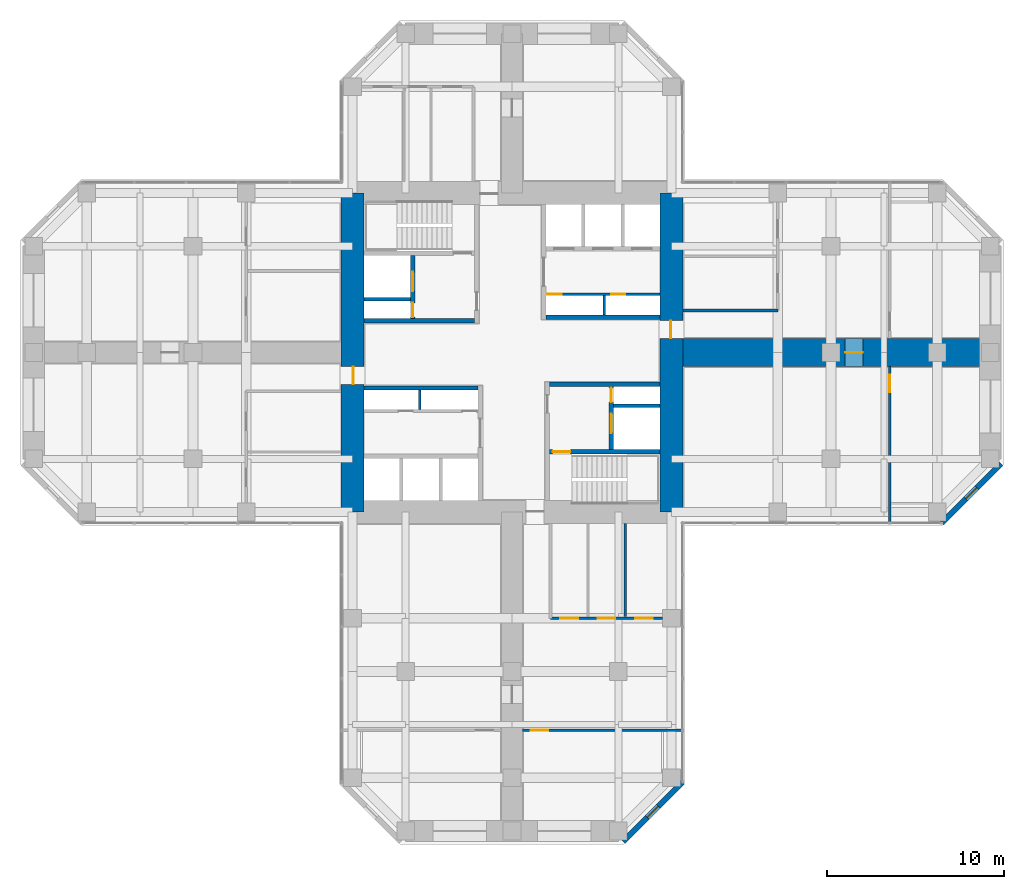
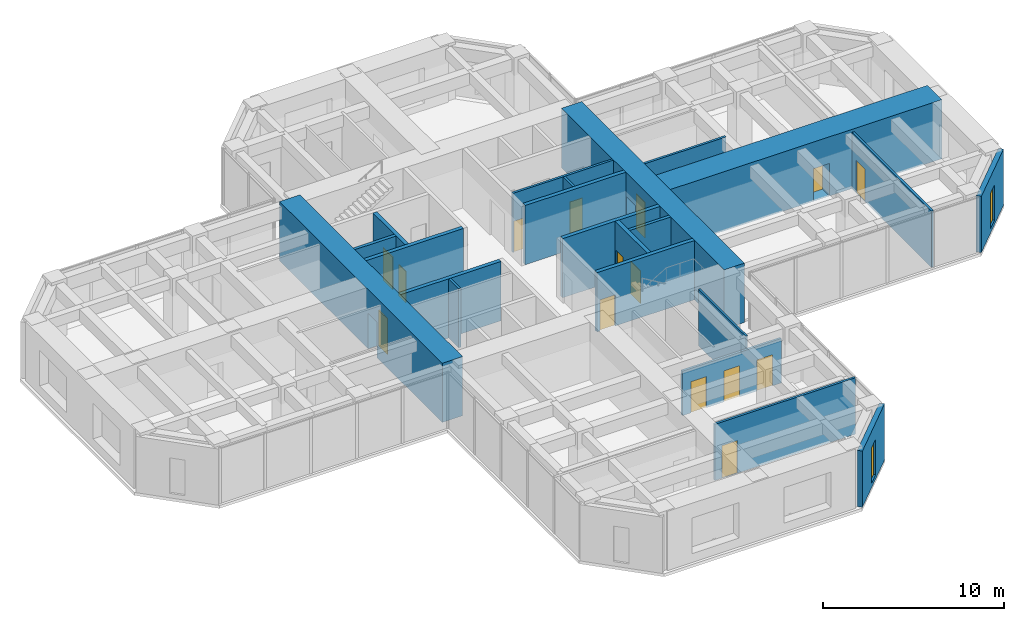
# One storey, part 9 of 12: 22 walls, 15 doors, 2 windows, 17 openings.
"""IFC4 building model written with IfcOpenShell, lengths in metres."""

from ifc_helpers import new_model, si_unit, direction, frame, frame_2d, origin, place, context, subcontext, project, spatial, rectangle, hollow_rectangle, extrude, material, layer, layer_set, constituent, constituent_set, type_object, element, fill, save


model = new_model("IFC4")

# Units and contexts
model_context = context("Model", 3, precision=1e-05, world=origin(), true_north=direction((0.0, 1.0)))
body_context = subcontext(model_context, "Body", "Model", "MODEL_VIEW")
ifc_project = project(units=[si_unit("LENGTHUNIT", "METRE"), si_unit("AREAUNIT", "SQUARE_METRE"), si_unit("VOLUMEUNIT", "CUBIC_METRE"), si_unit("PLANEANGLEUNIT", "RADIAN"), si_unit("MASSUNIT", "GRAM", prefix="KILO")], contexts=[model_context])

# Site, building, storey
site_placement = place(None, origin())
site = spatial("IfcSite", under=ifc_project, at=site_placement, CompositionType="ELEMENT")
building_placement = place(site_placement, origin())
building = spatial("IfcBuilding", under=site, at=building_placement, Name="Torre Cruceta", CompositionType="ELEMENT")
storey_placement = place(building_placement, frame((0.0, 0.0, 144.5)))
storey = spatial("IfcBuildingStorey", under=building, at=storey_placement, Name="L35", CompositionType="ELEMENT", Elevation=144.5)

# Walls
ifc_material_1 = material(Name="Concrete G60 (fck 60 MPa)", Category="concrete")
ifc_layer_1 = layer(ifc_material_1, 0.25)
ifc_layer_set_1 = layer_set([ifc_layer_1], Name="Concrete G60 (fck 60 MPa)")
wall_type_1 = type_object("IfcWallType", Name="CORE INNER WALL 250 G60", PredefinedType="SHEAR", material=ifc_layer_set_1)
wall_1_placement = place(storey_placement, frame((1.925048828125, 2.0, 0.0), z_axis=(0.0, 0.0, 1.0), x_axis=(1.0, 0.0, 0.0)))
element("IfcWall", 1, at=wall_1_placement, inside=storey, type_object=wall_type_1, Name="CW4 L35 NE-CV", PredefinedType="SHEAR", context=body_context, shape_type="SweptSolid", body=[
    extrude(rectangle(XDim=6.425048828125, YDim=0.25, at=frame_2d((3.21240234375, 0.0))), origin(), (0.0, 0.0, 1.0), 4.0),
])
wall_2_placement = place(storey_placement, frame((-2.125, 1.800048828125, 0.0), z_axis=(0.0, 0.0, 1.0), x_axis=(-1.0, 0.0, 0.0)))
element("IfcWall", 2, at=wall_2_placement, inside=storey, type_object=wall_type_1, Name="CW4 L35 NW-CV", PredefinedType="SHEAR", context=body_context, shape_type="SweptSolid", body=[
    extrude(rectangle(XDim=6.22509765625, YDim=0.25, at=frame_2d((3.112548828125, 0.0))), origin(), (0.0, 0.0, 1.0), 4.0),
])

# Wall, openings, doors
wall_3_placement = place(storey_placement, frame((-5.60009765625, 1.925048828125, 0.0), z_axis=(0.0, 0.0, 1.0), x_axis=(0.0, 1.0, 0.0)))
wall_3 = element("IfcWall", 3, at=wall_3_placement, inside=storey, type_object=wall_type_1, Name="CW4 L35 NW-FU", PredefinedType="SHEAR", context=body_context, shape_type="SweptSolid", body=[
    extrude(rectangle(XDim=3.550048828125, YDim=0.25, at=frame_2d((1.77490234375, 0.0))), origin(), (0.0, 0.0, 1.0), 4.0),
])
opening_1_placement = place(wall_3_placement, frame((1.52490234375, 0.0, 0.0)))
opening_1 = element("IfcOpeningElement", 4, at=opening_1_placement, cuts=wall_3, Name="Opening LD1", PredefinedType="OPENING", context=body_context, shape_type="SweptSolid", body=[
    extrude(rectangle(XDim=1.10009765625, YDim=2.199951171875, at=frame_2d((0.550048828125, 1.10009765625))), frame((0.0, 0.135009765625, 0.0), z_axis=(0.0, -1.0, 0.0), x_axis=(1.0, 0.0, 0.0)), (0.0, 0.0, 1.0), 0.27001953125),
])
opening_2_placement = place(wall_3_placement, frame((0.074951171875, 0.0, 0.0)))
opening_2 = element("IfcOpeningElement", 5, at=opening_2_placement, cuts=wall_3, Name="Opening D5", PredefinedType="OPENING", context=body_context, shape_type="SweptSolid", body=[
    extrude(rectangle(XDim=0.800048828125, YDim=2.10009765625, at=frame_2d((0.39990234375, 1.050048828125))), frame((0.0, 0.135009765625, 0.0), z_axis=(0.0, -1.0, 0.0), x_axis=(1.0, 0.0, 0.0)), (0.0, 0.0, 1.0), 0.27001953125),
])
ifc_material_2 = material(Name="Stainless steel 1.4401", Category="steel")
door_type_1 = type_object("IfcDoorType", Name="LIFT LANDING DOOR 1100X2200", OperationType="DOUBLE_DOOR_SLIDING", PredefinedType="DOOR", material=ifc_material_2)
door_1_placement = place(opening_1_placement, origin())
door_1 = element("IfcDoor", 6, at=door_1_placement, inside=storey, type_object=door_type_1, Name="Lift landing door FL1", OperationType="DOUBLE_DOOR_SLIDING", OverallHeight=2.199951171875, OverallWidth=1.10009765625, PredefinedType="DOOR", context=body_context, shape_type="SweptSolid", body=[
    extrude(rectangle(XDim=1.10009765625, YDim=2.199951171875, at=frame_2d((0.550048828125, 1.10009765625))), frame((0.0, 0.02490234375, 0.0), z_axis=(0.0, -1.0, 0.0), x_axis=(1.0, 0.0, 0.0)), (0.0, 0.0, 1.0), 0.050048828125),
])
fill(opening_1, door_1)
ifc_material_3 = material(Name="Steel DX51D", Category="steel")
ifc_constituent_1 = constituent(ifc_material_3, Name="Leaf and frame")
ifc_material_4 = material(Name="Polyester powder coating", Category="paint")
ifc_constituent_2 = constituent(ifc_material_4, Name="Finish")
ifc_constituent_set_1 = constituent_set(constituents=[ifc_constituent_1, ifc_constituent_2], Name="Steel fire door")
door_type_2 = type_object("IfcDoorType", Name="RISER ACCESS DOOR 800X2100", OperationType="SINGLE_SWING_LEFT", PredefinedType="DOOR", material=ifc_constituent_set_1)
door_2_placement = place(opening_2_placement, origin())
door_2 = element("IfcDoor", 7, at=door_2_placement, inside=storey, type_object=door_type_2, Name="D5 L35 NW-RISER", OperationType="SINGLE_SWING_LEFT", OverallHeight=2.10009765625, OverallWidth=0.800048828125, PredefinedType="DOOR", context=body_context, shape_type="SweptSolid", body=[
    extrude(rectangle(XDim=0.800048828125, YDim=2.10009765625, at=frame_2d((0.39990234375, 1.050048828125))), frame((0.0, 0.02490234375, 0.0), z_axis=(0.0, -1.0, 0.0), x_axis=(1.0, 0.0, 0.0)), (0.0, 0.0, 1.0), 0.050048828125),
])
fill(opening_2, door_2)

# Walls
wall_4_placement = place(storey_placement, frame((-1.925048828125, -2.0, 0.0), z_axis=(0.0, 0.0, 1.0), x_axis=(-1.0, 0.0, 0.0)))
element("IfcWall", 8, at=wall_4_placement, inside=storey, type_object=wall_type_1, Name="CW4 L35 SW-CV", PredefinedType="SHEAR", context=body_context, shape_type="SweptSolid", body=[
    extrude(rectangle(XDim=6.425048828125, YDim=0.25, at=frame_2d((3.21240234375, 0.0))), origin(), (0.0, 0.0, 1.0), 4.0),
])
wall_5_placement = place(storey_placement, frame((2.125, -1.800048828125, 0.0), z_axis=(0.0, 0.0, 1.0), x_axis=(1.0, 0.0, 0.0)))
element("IfcWall", 9, at=wall_5_placement, inside=storey, type_object=wall_type_1, Name="CW4 L35 SE-CV", PredefinedType="SHEAR", context=body_context, shape_type="SweptSolid", body=[
    extrude(rectangle(XDim=6.22509765625, YDim=0.25, at=frame_2d((3.112548828125, 0.0))), origin(), (0.0, 0.0, 1.0), 4.0),
])

# Wall, opening, door
wall_6_placement = place(storey_placement, frame((2.125, -5.60009765625, 0.0), z_axis=(0.0, 0.0, 1.0), x_axis=(1.0, 0.0, 0.0)))
wall_6 = element("IfcWall", 10, at=wall_6_placement, inside=storey, type_object=wall_type_1, Name="CW4 L35 SE-SV", PredefinedType="SHEAR", context=body_context, shape_type="SweptSolid", body=[
    extrude(rectangle(XDim=6.22509765625, YDim=0.25, at=frame_2d((3.112548828125, 0.0))), origin(), (0.0, 0.0, 1.0), 4.0),
])
opening_3_placement = place(wall_6_placement, frame((0.175048828125, 0.0, 0.0)))
opening_3 = element("IfcOpeningElement", 11, at=opening_3_placement, cuts=wall_6, Name="Opening D3", PredefinedType="OPENING", context=body_context, shape_type="SweptSolid", body=[
    extrude(rectangle(XDim=1.0, YDim=2.10009765625, at=frame_2d((0.5, 1.050048828125))), frame((0.0, 0.135009765625, 0.0), z_axis=(0.0, -1.0, 0.0), x_axis=(1.0, 0.0, 0.0)), (0.0, 0.0, 1.0), 0.27001953125),
])
ifc_material_5 = material(Name="Steel DX51D", Category="steel")
ifc_constituent_3 = constituent(ifc_material_5, Name="Leaf and frame")
ifc_material_6 = material(Name="Polyester powder coating", Category="paint")
ifc_constituent_4 = constituent(ifc_material_6, Name="Finish")
ifc_constituent_set_2 = constituent_set(constituents=[ifc_constituent_3, ifc_constituent_4], Name="Steel fire door")
door_type_3 = type_object("IfcDoorType", Name="FIRE DOOR 1000X2100", OperationType="SINGLE_SWING_LEFT", PredefinedType="DOOR", material=ifc_constituent_set_2)
door_3_placement = place(opening_3_placement, frame((1.0, 0.0, 0.0), z_axis=(0.0, 0.0, 1.0), x_axis=(-1.0, 0.0, 0.0)))
door_3 = element("IfcDoor", 12, at=door_3_placement, inside=storey, type_object=door_type_3, Name="D3 L35 SE-STAIR", OperationType="SINGLE_SWING_RIGHT", OverallHeight=2.10009765625, OverallWidth=1.0, PredefinedType="DOOR", context=body_context, shape_type="SweptSolid", body=[
    extrude(rectangle(XDim=1.0, YDim=2.10009765625, at=frame_2d((0.5, 1.050048828125))), frame((0.0, 0.025146484375, 0.0), z_axis=(0.0, -1.0, 0.0), x_axis=(1.0, 0.0, 0.0)), (0.0, 0.0, 1.0), 0.050048828125),
])
fill(opening_3, door_3)

# Wall, openings, doors
wall_7_placement = place(storey_placement, frame((5.60009765625, -1.925048828125, 0.0), z_axis=(0.0, 0.0, 1.0), x_axis=(0.0, -1.0, 0.0)))
wall_7 = element("IfcWall", 13, at=wall_7_placement, inside=storey, type_object=wall_type_1, Name="CW4 L35 SE-FU", PredefinedType="SHEAR", context=body_context, shape_type="SweptSolid", body=[
    extrude(rectangle(XDim=3.550048828125, YDim=0.25, at=frame_2d((1.77490234375, 0.0))), origin(), (0.0, 0.0, 1.0), 4.0),
])
opening_4_placement = place(wall_7_placement, frame((1.52490234375, 0.0, 0.0)))
opening_4 = element("IfcOpeningElement", 14, at=opening_4_placement, cuts=wall_7, Name="Opening LD1", PredefinedType="OPENING", context=body_context, shape_type="SweptSolid", body=[
    extrude(rectangle(XDim=1.10009765625, YDim=2.199951171875, at=frame_2d((0.550048828125, 1.10009765625))), frame((0.0, 0.135009765625, 0.0), z_axis=(0.0, -1.0, 0.0), x_axis=(1.0, 0.0, 0.0)), (0.0, 0.0, 1.0), 0.27001953125),
])
opening_5_placement = place(wall_7_placement, frame((0.074951171875, 0.0, 0.0)))
opening_5 = element("IfcOpeningElement", 15, at=opening_5_placement, cuts=wall_7, Name="Opening D5", PredefinedType="OPENING", context=body_context, shape_type="SweptSolid", body=[
    extrude(rectangle(XDim=0.800048828125, YDim=2.10009765625, at=frame_2d((0.39990234375, 1.050048828125))), frame((0.0, 0.135009765625, 0.0), z_axis=(0.0, -1.0, 0.0), x_axis=(1.0, 0.0, 0.0)), (0.0, 0.0, 1.0), 0.27001953125),
])
door_4_placement = place(opening_4_placement, origin())
door_4 = element("IfcDoor", 16, at=door_4_placement, inside=storey, type_object=door_type_1, Name="Lift landing door FL2", OperationType="DOUBLE_DOOR_SLIDING", OverallHeight=2.199951171875, OverallWidth=1.10009765625, PredefinedType="DOOR", context=body_context, shape_type="SweptSolid", body=[
    extrude(rectangle(XDim=1.10009765625, YDim=2.199951171875, at=frame_2d((0.550048828125, 1.10009765625))), frame((0.0, 0.02490234375, 0.0), z_axis=(0.0, -1.0, 0.0), x_axis=(1.0, 0.0, 0.0)), (0.0, 0.0, 1.0), 0.050048828125),
])
fill(opening_4, door_4)
door_5_placement = place(opening_5_placement, origin())
door_5 = element("IfcDoor", 17, at=door_5_placement, inside=storey, type_object=door_type_2, Name="D5 L35 SE-RISER", OperationType="SINGLE_SWING_LEFT", OverallHeight=2.10009765625, OverallWidth=0.800048828125, PredefinedType="DOOR", context=body_context, shape_type="SweptSolid", body=[
    extrude(rectangle(XDim=0.800048828125, YDim=2.10009765625, at=frame_2d((0.39990234375, 1.050048828125))), frame((0.0, 0.02490234375, 0.0), z_axis=(0.0, -1.0, 0.0), x_axis=(1.0, 0.0, 0.0)), (0.0, 0.0, 1.0), 0.050048828125),
])
fill(opening_5, door_5)

# Wall, opening, door
ifc_material_7 = material(Name="Concrete G60 (fck 60 MPa)", Category="concrete")
ifc_layer_2 = layer(ifc_material_7, 1.300048828125)
ifc_layer_set_2 = layer_set([ifc_layer_2], Name="Concrete G60 (fck 60 MPa)")
wall_type_2 = type_object("IfcWallType", Name="CORE WALL 1300 G60", PredefinedType="SHEAR", material=ifc_layer_set_2)
wall_8_placement = place(storey_placement, frame((9.0, -9.0, 0.0), z_axis=(0.0, 0.0, 1.0), x_axis=(0.0, 1.0, 0.0)))
wall_8 = element("IfcWall", 18, at=wall_8_placement, inside=storey, type_object=wall_type_2, Name="CW1 L35 CW-E", PredefinedType="SHEAR", context=body_context, shape_type="SweptSolid", body=[
    extrude(rectangle(XDim=18.0, YDim=1.300048828125, at=frame_2d((9.0, 0.0))), origin(), (0.0, 0.0, 1.0), 4.0),
])
opening_6_placement = place(wall_8_placement, frame((9.800048828125, 0.0, 0.0)))
opening_6 = element("IfcOpeningElement", 19, at=opening_6_placement, cuts=wall_8, Name="Opening D4", PredefinedType="OPENING", context=body_context, shape_type="SweptSolid", body=[
    extrude(rectangle(XDim=1.0, YDim=2.39990234375, at=frame_2d((0.5, 1.199951171875))), frame((0.0, 0.659912109375, 0.0), z_axis=(0.0, -1.0, 0.0), x_axis=(1.0, 0.0, 0.0)), (0.0, 0.0, 1.0), 1.320068359375),
])
ifc_material_8 = material(Name="Steel DX51D", Category="steel")
ifc_constituent_5 = constituent(ifc_material_8, Name="Leaf and frame")
ifc_material_9 = material(Name="Polyester powder coating", Category="paint")
ifc_constituent_6 = constituent(ifc_material_9, Name="Finish")
ifc_constituent_set_3 = constituent_set(constituents=[ifc_constituent_5, ifc_constituent_6], Name="Steel fire door")
door_type_4 = type_object("IfcDoorType", Name="CORE ARM DOOR 1000X2400", OperationType="SINGLE_SWING_RIGHT", PredefinedType="DOOR", material=ifc_constituent_set_3)
door_6_placement = place(opening_6_placement, frame((1.0, 0.0, 0.0), z_axis=(0.0, 0.0, 1.0), x_axis=(-1.0, 0.0, 0.0)))
door_6 = element("IfcDoor", 20, at=door_6_placement, inside=storey, type_object=door_type_4, Name="D4 L35 CW-E", OperationType="SINGLE_SWING_RIGHT", OverallHeight=2.39990234375, OverallWidth=1.0, PredefinedType="DOOR", context=body_context, shape_type="SweptSolid", body=[
    extrude(rectangle(XDim=1.0, YDim=2.39990234375, at=frame_2d((0.5, 1.199951171875))), frame((0.0, -0.005126953125, 0.0), z_axis=(0.0, -1.0, 0.0), x_axis=(1.0, 0.0, 0.0)), (0.0, 0.0, 1.0), 0.050048828125),
])
fill(opening_6, door_6)

wall_9_placement = place(storey_placement, frame((-9.0, 9.0, 0.0), z_axis=(0.0, 0.0, 1.0), x_axis=(0.0, -1.0, 0.0)))
wall_9 = element("IfcWall", 21, at=wall_9_placement, inside=storey, type_object=wall_type_2, Name="CW1 L35 CW-W", PredefinedType="SHEAR", context=body_context, shape_type="SweptSolid", body=[
    extrude(rectangle(XDim=18.0, YDim=1.300048828125, at=frame_2d((9.0, 0.0))), origin(), (0.0, 0.0, 1.0), 4.0),
])
opening_7_placement = place(wall_9_placement, frame((9.800048828125, 0.0, 0.0)))
opening_7 = element("IfcOpeningElement", 22, at=opening_7_placement, cuts=wall_9, Name="Opening D4", PredefinedType="OPENING", context=body_context, shape_type="SweptSolid", body=[
    extrude(rectangle(XDim=1.0, YDim=2.39990234375, at=frame_2d((0.5, 1.199951171875))), frame((0.0, 0.659912109375, 0.0), z_axis=(0.0, -1.0, 0.0), x_axis=(1.0, 0.0, 0.0)), (0.0, 0.0, 1.0), 1.320068359375),
])
door_7_placement = place(opening_7_placement, frame((1.0, 0.0, 0.0), z_axis=(0.0, 0.0, 1.0), x_axis=(-1.0, 0.0, 0.0)))
door_7 = element("IfcDoor", 23, at=door_7_placement, inside=storey, type_object=door_type_4, Name="D4 L35 CW-W", OperationType="SINGLE_SWING_RIGHT", OverallHeight=2.39990234375, OverallWidth=1.0, PredefinedType="DOOR", context=body_context, shape_type="SweptSolid", body=[
    extrude(rectangle(XDim=1.0, YDim=2.39990234375, at=frame_2d((0.5, 1.199951171875))), frame((0.0, -0.005126953125, 0.0), z_axis=(0.0, -1.0, 0.0), x_axis=(1.0, 0.0, 0.0)), (0.0, 0.0, 1.0), 0.050048828125),
])
fill(opening_7, door_7)

# Wall, opening, window
ifc_material_10 = material(Name="Concrete G30 (fck 30 MPa)", Category="concrete")
ifc_layer_3 = layer(ifc_material_10, 0.300048828125)
ifc_layer_set_3 = layer_set([ifc_layer_3], Name="Concrete G30 (fck 30 MPa)")
wall_type_3 = type_object("IfcWallType", Name="EXPOSED CONCRETE FACADE WALL 300", PredefinedType="SOLIDWALL", material=ifc_layer_set_3)
wall_10_placement = place(storey_placement, frame((24.2568359375, -9.6201171875, 0.0), z_axis=(0.0, 0.0, 1.0), x_axis=(0.707106781187, 0.707106781187, 0.0)))
wall_10 = element("IfcWall", 24, at=wall_10_placement, inside=storey, type_object=wall_type_3, Name="EW1 facade wall L35 E chamfer 01", PredefinedType="SOLIDWALL", context=body_context, shape_type="SweptSolid", body=[
    extrude(rectangle(XDim=4.72802734375, YDim=0.300048828125, at=frame_2d((2.364013671875, 0.0))), origin(), (0.0, 0.0, 1.0), 3.800048828125),
])
opening_8_placement = place(wall_10_placement, frame((1.9140625, 0.0, 0.300048828125)))
opening_8 = element("IfcOpeningElement", 25, at=opening_8_placement, cuts=wall_10, Name="Opening WN5", PredefinedType="OPENING", context=body_context, shape_type="SweptSolid", body=[
    extrude(rectangle(XDim=0.89990234375, YDim=2.39990234375, at=frame_2d((0.449951171875, 1.199951171875))), frame((0.0, 0.159912109375, 0.0), z_axis=(0.0, -1.0, 0.0), x_axis=(1.0, 0.0, 0.0)), (0.0, 0.0, 1.0), 0.320068359375),
])
ifc_material_11 = material(Name="Aluminium window frame", Category="aluminium")
ifc_constituent_7 = constituent(ifc_material_11, Name="Frame")
ifc_material_12 = material(Name="Laminated insulating glass unit, low-iron clear", Category="glass")
ifc_constituent_8 = constituent(ifc_material_12, Name="Glazing")
ifc_constituent_set_4 = constituent_set(constituents=[ifc_constituent_7, ifc_constituent_8], Name="Aluminium window")
window_type = type_object("IfcWindowType", Name="CHAMFER SLOT WINDOW 900X2400", PartitioningType="SINGLE_PANEL", PredefinedType="WINDOW", material=ifc_constituent_set_4)
window_1_placement = place(opening_8_placement, origin())
window_1 = element("IfcWindow", 26, at=window_1_placement, inside=storey, type_object=window_type, Name="WN5 L35 E 1", OverallHeight=2.39990234375, OverallWidth=0.89990234375, PartitioningType="SINGLE_PANEL", PredefinedType="WINDOW", context=body_context, shape_type="SweptSolid", body=[
    extrude(hollow_rectangle(XDim=0.89990234375, YDim=2.39990234375, WallThickness=0.06005859375, at=frame_2d((0.449951171875, 1.199951171875))), frame((0.0, 0.030029296875, 0.0), z_axis=(0.0, -1.0, 0.0), x_axis=(1.0, 0.0, 0.0)), (0.0, 0.0, 1.0), 0.06005859375),
    extrude(rectangle(XDim=0.77880859375, YDim=2.27880859375, at=frame_2d((0.449951171875, 1.199951171875))), frame((0.0, 0.030029296875, 0.0), z_axis=(0.0, -1.0, 0.0), x_axis=(1.0, 0.0, 0.0)), (0.0, 0.0, 1.0), 0.06005859375),
])
fill(opening_8, window_1)

wall_11_placement = place(storey_placement, frame((6.27685546875, -27.60009765625, 0.0), z_axis=(0.0, 0.0, 1.0), x_axis=(0.707106781187, 0.707106781187, 0.0)))
wall_11 = element("IfcWall", 27, at=wall_11_placement, inside=storey, type_object=wall_type_3, Name="EW1 facade wall L35 S chamfer 18", PredefinedType="SOLIDWALL", context=body_context, shape_type="SweptSolid", body=[
    extrude(rectangle(XDim=4.72802734375, YDim=0.300048828125, at=frame_2d((2.364013671875, 0.0))), origin(), (0.0, 0.0, 1.0), 3.800048828125),
])
opening_9_placement = place(wall_11_placement, frame((1.9140625, 0.0, 0.300048828125)))
opening_9 = element("IfcOpeningElement", 28, at=opening_9_placement, cuts=wall_11, Name="Opening WN5", PredefinedType="OPENING", context=body_context, shape_type="SweptSolid", body=[
    extrude(rectangle(XDim=0.89990234375, YDim=2.39990234375, at=frame_2d((0.449951171875, 1.199951171875))), frame((0.0, 0.159912109375, 0.0), z_axis=(0.0, -1.0, 0.0), x_axis=(1.0, 0.0, 0.0)), (0.0, 0.0, 1.0), 0.320068359375),
])
window_2_placement = place(opening_9_placement, origin())
window_2 = element("IfcWindow", 29, at=window_2_placement, inside=storey, type_object=window_type, Name="WN5 L35 S 1", OverallHeight=2.39990234375, OverallWidth=0.89990234375, PartitioningType="SINGLE_PANEL", PredefinedType="WINDOW", context=body_context, shape_type="SweptSolid", body=[
    extrude(hollow_rectangle(XDim=0.89990234375, YDim=2.39990234375, WallThickness=0.06005859375, at=frame_2d((0.449951171875, 1.199951171875))), frame((0.0, 0.030029296875, 0.0), z_axis=(0.0, -1.0, 0.0), x_axis=(1.0, 0.0, 0.0)), (0.0, 0.0, 1.0), 0.06005859375),
    extrude(rectangle(XDim=0.77880859375, YDim=2.27880859375, at=frame_2d((0.449951171875, 1.199951171875))), frame((0.0, 0.030029296875, 0.0), z_axis=(0.0, -1.0, 0.0), x_axis=(1.0, 0.0, 0.0)), (0.0, 0.0, 1.0), 0.06005859375),
])
fill(opening_9, window_2)

# Walls
ifc_material_13 = material(Name="Concrete G35 (fck 35 MPa)", Category="concrete")
ifc_layer_4 = layer(ifc_material_13, 0.199951171875)
ifc_layer_set_4 = layer_set([ifc_layer_4], Name="Concrete G35 (fck 35 MPa)")
wall_type_4 = type_object("IfcWallType", Name="LIFT SHAFT WALL 200", PredefinedType="PARTITIONING", material=ifc_layer_set_4)
for number, where, z_axis, x_axis, name in (
    (30, (-5.72509765625, 3.0, 0.0), (0.0, 0.0, 1.0), (-1.0, 0.0, 0.0), "SW1 L35 NW-FR"),
    (31, (5.72509765625, -3.0, 0.0), (0.0, 0.0, 1.0), (1.0, 0.0, 0.0), "SW1 L35 SE-FR"),
):
    element("IfcWall", number, at=place(storey_placement, frame(where, z_axis=z_axis, x_axis=x_axis)), inside=storey, type_object=wall_type_4, Name=name, PredefinedType="PARTITIONING", context=body_context, shape_type="SweptSolid", body=[
        extrude(rectangle(XDim=2.625, YDim=0.199951171875, at=frame_2d((1.3125, 0.0))), origin(), (0.0, 0.0, 1.0), 4.0),
    ])
ifc_material_14 = material(Name="Plasterboard on steel studs", Category="steel")
ifc_layer_5 = layer(ifc_material_14, 0.14990234375)
ifc_layer_set_5 = layer_set([ifc_layer_5], Name="Plasterboard on steel studs")
wall_type_5 = type_object("IfcWallType", Name="PARTITION 150", PredefinedType="PARTITIONING", material=ifc_layer_set_5)
wall_12_placement = place(storey_placement, frame((9.64990234375, 2.375, 0.0), z_axis=(0.0, 0.0, 1.0), x_axis=(1.0, 0.0, 0.0)))
element("IfcWall", 32, at=wall_12_placement, inside=storey, type_object=wall_type_5, Name="PT1 L35-E-BSL", PredefinedType="PARTITIONING", context=body_context, shape_type="SweptSolid", body=[
    extrude(rectangle(XDim=5.35009765625, YDim=0.14990234375, at=frame_2d((2.675048828125, 0.0))), origin(), (0.0, 0.0, 1.0), 3.800048828125),
])

# Wall, opening, door
wall_13_placement = place(storey_placement, frame((21.320068359375, -9.580078125, 0.0), z_axis=(0.0, 0.0, 1.0), x_axis=(0.0, 1.0, 0.0)))
wall_13 = element("IfcWall", 33, at=wall_13_placement, inside=storey, type_object=wall_type_5, Name="PT1 L35-E-TWR", PredefinedType="PARTITIONING", context=body_context, shape_type="SweptSolid", body=[
    extrude(rectangle(XDim=8.780029296875, YDim=0.14990234375, at=frame_2d((4.39013671875, 0.0))), origin(), (0.0, 0.0, 1.0), 3.800048828125),
])
opening_10_placement = place(wall_13_placement, frame((7.330078125, 0.0, 0.0)))
opening_10 = element("IfcOpeningElement", 34, at=opening_10_placement, cuts=wall_13, Name="Opening D14", PredefinedType="OPENING", context=body_context, shape_type="SweptSolid", body=[
    extrude(rectangle(XDim=1.0, YDim=2.199951171875, at=frame_2d((0.5, 1.10009765625))), frame((0.0, 0.0849609375, 0.0), z_axis=(0.0, -1.0, 0.0), x_axis=(1.0, 0.0, 0.0)), (0.0, 0.0, 1.0), 0.169921875),
])
ifc_material_15 = material(Name="Steel DX51D", Category="steel")
ifc_constituent_9 = constituent(ifc_material_15, Name="Leaf and frame")
ifc_material_16 = material(Name="Polyester powder coating", Category="paint")
ifc_constituent_10 = constituent(ifc_material_16, Name="Finish")
ifc_material_17 = material(Name="Fire-resisting glass", Category="glass")
ifc_constituent_11 = constituent(ifc_material_17, Name="Vision panel")
ifc_constituent_set_5 = constituent_set(constituents=[ifc_constituent_9, ifc_constituent_10, ifc_constituent_11], Name="Steel fire door with vision panel")
door_type_5 = type_object("IfcDoorType", Name="FIRE DOOR VISION PANEL 1000X2200", OperationType="SINGLE_SWING_RIGHT", PredefinedType="DOOR", material=ifc_constituent_set_5)
door_8_placement = place(opening_10_placement, frame((1.0, 0.0, 0.0), z_axis=(0.0, 0.0, 1.0), x_axis=(-1.0, 0.0, 0.0)))
door_8 = element("IfcDoor", 35, at=door_8_placement, inside=storey, type_object=door_type_5, Name="D14 L35-E-TWR-D1", OperationType="SINGLE_SWING_LEFT", OverallHeight=2.199951171875, OverallWidth=1.0, PredefinedType="DOOR", context=body_context, shape_type="SweptSolid", body=[
    extrude(rectangle(XDim=1.0, YDim=2.199951171875, at=frame_2d((0.5, 1.10009765625))), frame((0.0, 0.025146484375, 0.0), z_axis=(0.0, -1.0, 0.0), x_axis=(1.0, 0.0, 0.0)), (0.0, 0.0, 1.0), 0.050048828125),
])
fill(opening_10, door_8)

# Wall, openings, doors
wall_14_placement = place(storey_placement, frame((2.175048828125, -15.0, 0.0), z_axis=(0.0, 0.0, 1.0), x_axis=(1.0, 0.0, 0.0)))
wall_14 = element("IfcWall", 36, at=wall_14_placement, inside=storey, type_object=wall_type_5, Name="PT1 L35-S-BFL", PredefinedType="PARTITIONING", context=body_context, shape_type="SweptSolid", body=[
    extrude(rectangle(XDim=6.324951171875, YDim=0.14990234375, at=frame_2d((3.16259765625, 0.0))), origin(), (0.0, 0.0, 1.0), 3.0),
])
opening_11_placement = place(wall_14_placement, frame((0.55419921875, 0.0, 0.0)))
opening_11 = element("IfcOpeningElement", 37, at=opening_11_placement, cuts=wall_14, Name="Opening D3", PredefinedType="OPENING", context=body_context, shape_type="SweptSolid", body=[
    extrude(rectangle(XDim=1.0, YDim=2.10009765625, at=frame_2d((0.5, 1.050048828125))), frame((0.0, 0.0849609375, 0.0), z_axis=(0.0, -1.0, 0.0), x_axis=(1.0, 0.0, 0.0)), (0.0, 0.0, 1.0), 0.169921875),
])
opening_12_placement = place(wall_14_placement, frame((2.66259765625, 0.0, 0.0)))
opening_12 = element("IfcOpeningElement", 38, at=opening_12_placement, cuts=wall_14, Name="Opening D3", PredefinedType="OPENING", context=body_context, shape_type="SweptSolid", body=[
    extrude(rectangle(XDim=1.0, YDim=2.10009765625, at=frame_2d((0.5, 1.050048828125))), frame((0.0, 0.0849609375, 0.0), z_axis=(0.0, -1.0, 0.0), x_axis=(1.0, 0.0, 0.0)), (0.0, 0.0, 1.0), 0.169921875),
])
opening_13_placement = place(wall_14_placement, frame((4.770751953125, 0.0, 0.0)))
opening_13 = element("IfcOpeningElement", 39, at=opening_13_placement, cuts=wall_14, Name="Opening D3", PredefinedType="OPENING", context=body_context, shape_type="SweptSolid", body=[
    extrude(rectangle(XDim=1.0, YDim=2.10009765625, at=frame_2d((0.5, 1.050048828125))), frame((0.0, 0.0849609375, 0.0), z_axis=(0.0, -1.0, 0.0), x_axis=(1.0, 0.0, 0.0)), (0.0, 0.0, 1.0), 0.169921875),
])
door_9_placement = place(opening_11_placement, origin())
door_9 = element("IfcDoor", 40, at=door_9_placement, inside=storey, type_object=door_type_3, Name="D3 L35-S-BFL-D1", OperationType="SINGLE_SWING_LEFT", OverallHeight=2.10009765625, OverallWidth=1.0, PredefinedType="DOOR", context=body_context, shape_type="SweptSolid", body=[
    extrude(rectangle(XDim=1.0, YDim=2.10009765625, at=frame_2d((0.5, 1.050048828125))), frame((0.0, 0.02490234375, 0.0), z_axis=(0.0, -1.0, 0.0), x_axis=(1.0, 0.0, 0.0)), (0.0, 0.0, 1.0), 0.050048828125),
])
fill(opening_11, door_9)
door_10_placement = place(opening_12_placement, origin())
door_10 = element("IfcDoor", 41, at=door_10_placement, inside=storey, type_object=door_type_3, Name="D3 L35-S-BFL-D2", OperationType="SINGLE_SWING_LEFT", OverallHeight=2.10009765625, OverallWidth=1.0, PredefinedType="DOOR", context=body_context, shape_type="SweptSolid", body=[
    extrude(rectangle(XDim=1.0, YDim=2.10009765625, at=frame_2d((0.5, 1.050048828125))), frame((0.0, 0.02490234375, 0.0), z_axis=(0.0, -1.0, 0.0), x_axis=(1.0, 0.0, 0.0)), (0.0, 0.0, 1.0), 0.050048828125),
])
fill(opening_12, door_10)
door_11_placement = place(opening_13_placement, origin())
door_11 = element("IfcDoor", 42, at=door_11_placement, inside=storey, type_object=door_type_3, Name="D3 L35-S-BFL-D3", OperationType="SINGLE_SWING_LEFT", OverallHeight=2.10009765625, OverallWidth=1.0, PredefinedType="DOOR", context=body_context, shape_type="SweptSolid", body=[
    extrude(rectangle(XDim=1.0, YDim=2.10009765625, at=frame_2d((0.5, 1.050048828125))), frame((0.0, 0.02490234375, 0.0), z_axis=(0.0, -1.0, 0.0), x_axis=(1.0, 0.0, 0.0)), (0.0, 0.0, 1.0), 0.050048828125),
])
fill(opening_13, door_11)

# Wall, opening, door
wall_15_placement = place(storey_placement, frame((0.60009765625, -21.320068359375, 0.0), z_axis=(0.0, 0.0, 1.0), x_axis=(1.0, 0.0, 0.0)))
wall_15 = element("IfcWall", 43, at=wall_15_placement, inside=storey, type_object=wall_type_5, Name="PT1 L35-S-TWL", PredefinedType="PARTITIONING", context=body_context, shape_type="SweptSolid", body=[
    extrude(rectangle(XDim=8.97998046875, YDim=0.14990234375, at=frame_2d((4.489990234375, 0.0))), origin(), (0.0, 0.0, 1.0), 3.800048828125),
])
opening_14_placement = place(wall_15_placement, frame((0.449951171875, 0.0, 0.0)))
opening_14 = element("IfcOpeningElement", 44, at=opening_14_placement, cuts=wall_15, Name="Opening D14", PredefinedType="OPENING", context=body_context, shape_type="SweptSolid", body=[
    extrude(rectangle(XDim=1.0, YDim=2.199951171875, at=frame_2d((0.5, 1.10009765625))), frame((0.0, 0.0849609375, 0.0), z_axis=(0.0, -1.0, 0.0), x_axis=(1.0, 0.0, 0.0)), (0.0, 0.0, 1.0), 0.169921875),
])
door_12_placement = place(opening_14_placement, frame((1.0, 0.0, 0.0), z_axis=(0.0, 0.0, 1.0), x_axis=(-1.0, 0.0, 0.0)))
door_12 = element("IfcDoor", 45, at=door_12_placement, inside=storey, type_object=door_type_5, Name="D14 L35-S-TWL-D1", OperationType="SINGLE_SWING_RIGHT", OverallHeight=2.199951171875, OverallWidth=1.0, PredefinedType="DOOR", context=body_context, shape_type="SweptSolid", body=[
    extrude(rectangle(XDim=1.0, YDim=2.199951171875, at=frame_2d((0.5, 1.10009765625))), frame((0.0, 0.025146484375, 0.0), z_axis=(0.0, -1.0, 0.0), x_axis=(1.0, 0.0, 0.0)), (0.0, 0.0, 1.0), 0.050048828125),
])
fill(opening_14, door_12)

# Wall, openings, doors
ifc_material_18 = material(Name="Concrete block masonry", Category="masonry")
ifc_layer_6 = layer(ifc_material_18, 0.14990234375)
ifc_layer_set_6 = layer_set([ifc_layer_6], Name="Concrete block masonry")
wall_type_6 = type_object("IfcWallType", Name="RISER WALL 150", PredefinedType="PARTITIONING", material=ifc_layer_set_6)
wall_16_placement = place(storey_placement, frame((1.925048828125, 3.300048828125, 0.0), z_axis=(0.0, 0.0, 1.0), x_axis=(1.0, 0.0, 0.0)))
wall_16 = element("IfcWall", 46, at=wall_16_placement, inside=storey, type_object=wall_type_6, Name="SW7 L35 NE-RV", PredefinedType="PARTITIONING", context=body_context, shape_type="SweptSolid", body=[
    extrude(rectangle(XDim=6.425048828125, YDim=0.14990234375, at=frame_2d((3.21240234375, 0.0))), origin(), (0.0, 0.0, 1.0), 4.0),
])
opening_15_placement = place(wall_16_placement, frame((0.074951171875, 0.0, 0.0)))
opening_15 = element("IfcOpeningElement", 47, at=opening_15_placement, cuts=wall_16, Name="Opening D5", PredefinedType="OPENING", context=body_context, shape_type="SweptSolid", body=[
    extrude(rectangle(XDim=0.800048828125, YDim=2.10009765625, at=frame_2d((0.39990234375, 1.050048828125))), frame((0.0, 0.0849609375, 0.0), z_axis=(0.0, -1.0, 0.0), x_axis=(1.0, 0.0, 0.0)), (0.0, 0.0, 1.0), 0.169921875),
])
opening_16_placement = place(wall_16_placement, frame((3.675048828125, 0.0, 0.0)))
opening_16 = element("IfcOpeningElement", 48, at=opening_16_placement, cuts=wall_16, Name="Opening D5", PredefinedType="OPENING", context=body_context, shape_type="SweptSolid", body=[
    extrude(rectangle(XDim=0.800048828125, YDim=2.10009765625, at=frame_2d((0.39990234375, 1.050048828125))), frame((0.0, 0.0849609375, 0.0), z_axis=(0.0, -1.0, 0.0), x_axis=(1.0, 0.0, 0.0)), (0.0, 0.0, 1.0), 0.169921875),
])
door_13_placement = place(opening_15_placement, frame((0.800048828125, 0.0, 0.0), z_axis=(0.0, 0.0, 1.0), x_axis=(-1.0, 0.0, 0.0)))
door_13 = element("IfcDoor", 49, at=door_13_placement, inside=storey, type_object=door_type_2, Name="D5 L35 NE-RISER1", OperationType="SINGLE_SWING_RIGHT", OverallHeight=2.10009765625, OverallWidth=0.800048828125, PredefinedType="DOOR", context=body_context, shape_type="SweptSolid", body=[
    extrude(rectangle(XDim=0.800048828125, YDim=2.10009765625, at=frame_2d((0.400146484375, 1.050048828125))), frame((0.0, 0.025146484375, 0.0), z_axis=(0.0, -1.0, 0.0), x_axis=(1.0, 0.0, 0.0)), (0.0, 0.0, 1.0), 0.050048828125),
])
fill(opening_15, door_13)
door_14_placement = place(opening_16_placement, frame((0.800048828125, 0.0, 0.0), z_axis=(0.0, 0.0, 1.0), x_axis=(-1.0, 0.0, 0.0)))
door_14 = element("IfcDoor", 50, at=door_14_placement, inside=storey, type_object=door_type_2, Name="D5 L35 NE-RISER2", OperationType="SINGLE_SWING_RIGHT", OverallHeight=2.10009765625, OverallWidth=0.800048828125, PredefinedType="DOOR", context=body_context, shape_type="SweptSolid", body=[
    extrude(rectangle(XDim=0.800048828125, YDim=2.10009765625, at=frame_2d((0.400146484375, 1.050048828125))), frame((0.0, 0.025146484375, 0.0), z_axis=(0.0, -1.0, 0.0), x_axis=(1.0, 0.0, 0.0)), (0.0, 0.0, 1.0), 0.050048828125),
])
fill(opening_16, door_14)

# Walls
for number, where, z_axis, x_axis, name in (
    (51, (5.199951171875, 2.125, 0.0), (0.0, 0.0, 1.0), (0.0, 1.0, 0.0), "SW7 L35 NE-RU"),
    (52, (-5.199951171875, -2.125, 0.0), (0.0, 0.0, 1.0), (0.0, -1.0, 0.0), "SW7 L35 SW-RU"),
):
    element("IfcWall", number, at=place(storey_placement, frame(where, z_axis=z_axis, x_axis=x_axis)), inside=storey, type_object=wall_type_6, Name=name, PredefinedType="PARTITIONING", context=body_context, shape_type="SweptSolid", body=[
        extrude(rectangle(XDim=1.10009765625, YDim=0.14990234375, at=frame_2d((0.550048828125, 0.0))), origin(), (0.0, 0.0, 1.0), 4.0),
    ])

# Wall, opening, door
ifc_material_19 = material(Name="Concrete G60 (fck 60 MPa)", Category="concrete")
ifc_layer_7 = layer(ifc_material_19, 1.60009765625)
ifc_layer_set_7 = layer_set([ifc_layer_7], Name="Concrete G60 (fck 60 MPa)")
wall_type_7 = type_object("IfcWallType", Name="SPINE WALL 1600 G60", PredefinedType="SHEAR", material=ifc_layer_set_7)
wall_17_placement = place(storey_placement, frame((9.0, 0.0, 0.0), z_axis=(0.0, 0.0, 1.0), x_axis=(1.0, 0.0, 0.0)))
wall_17 = element("IfcWall", 53, at=wall_17_placement, inside=storey, type_object=wall_type_7, Name="SW2 spine wall L35 E", PredefinedType="SHEAR", context=body_context, shape_type="SweptSolid", body=[
    extrude(rectangle(XDim=18.0, YDim=1.60009765625, at=frame_2d((9.0, 0.0))), origin(), (0.0, 0.0, 1.0), 4.0),
])
opening_17_placement = place(wall_17_placement, frame((9.800048828125, 0.0, 0.0)))
opening_17 = element("IfcOpeningElement", 54, at=opening_17_placement, cuts=wall_17, Name="Opening D14", PredefinedType="OPENING", context=body_context, shape_type="SweptSolid", body=[
    extrude(rectangle(XDim=1.0, YDim=2.199951171875, at=frame_2d((0.5, 1.10009765625))), frame((0.0, 0.81005859375, 0.0), z_axis=(0.0, -1.0, 0.0), x_axis=(1.0, 0.0, 0.0)), (0.0, 0.0, 1.0), 1.6201171875),
])
door_15_placement = place(opening_17_placement, origin())
door_15 = element("IfcDoor", 55, at=door_15_placement, inside=storey, type_object=door_type_5, Name="D14 L35-E-SP1", OperationType="SINGLE_SWING_RIGHT", OverallHeight=2.199951171875, OverallWidth=1.0, PredefinedType="DOOR", context=body_context, shape_type="SweptSolid", body=[
    extrude(rectangle(XDim=1.0, YDim=2.199951171875, at=frame_2d((0.5, 1.10009765625))), frame((0.0, 0.02490234375, 0.0), z_axis=(0.0, -1.0, 0.0), x_axis=(1.0, 0.0, 0.0)), (0.0, 0.0, 1.0), 0.050048828125),
])
fill(opening_17, door_15)

# Wall
ifc_material_20 = material(Name="Plasterboard on steel studs", Category="steel")
ifc_layer_8 = layer(ifc_material_20, 0.1201171875)
ifc_layer_set_8 = layer_set([ifc_layer_8], Name="Plasterboard on steel studs")
wall_type_8 = type_object("IfcWallType", Name="WC PARTITION 120", PredefinedType="PLUMBINGWALL", material=ifc_layer_set_8)
wall_18_placement = place(storey_placement, frame((6.3916015625, -9.64990234375, 0.0), z_axis=(0.0, 0.0, 1.0), x_axis=(0.0, -1.0, 0.0)))
element("IfcWall", 56, at=wall_18_placement, inside=storey, type_object=wall_type_8, Name="PT5 L35-S-BDL2", PredefinedType="PLUMBINGWALL", context=body_context, shape_type="SweptSolid", body=[
    extrude(rectangle(XDim=5.25, YDim=0.1201171875, at=frame_2d((2.625, 0.0))), origin(), (0.0, 0.0, 1.0), 3.800048828125),
])

save(model, "model.ifc")
